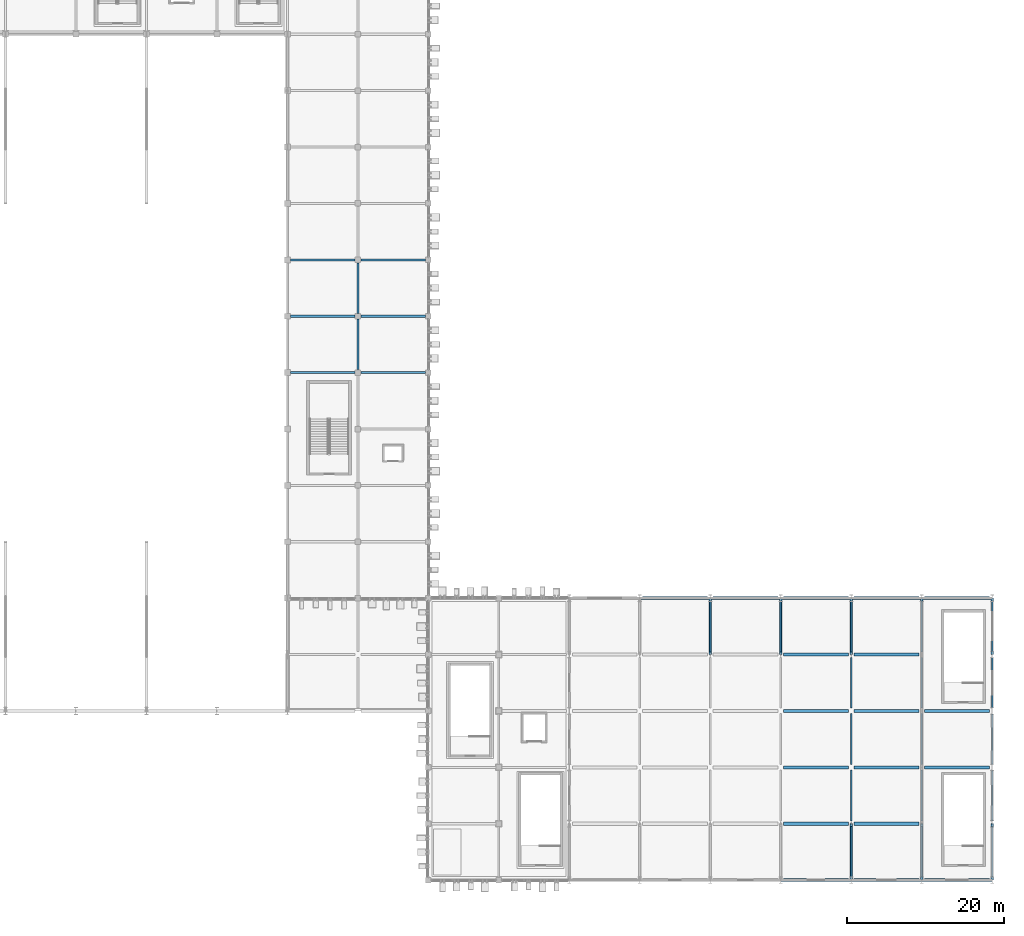
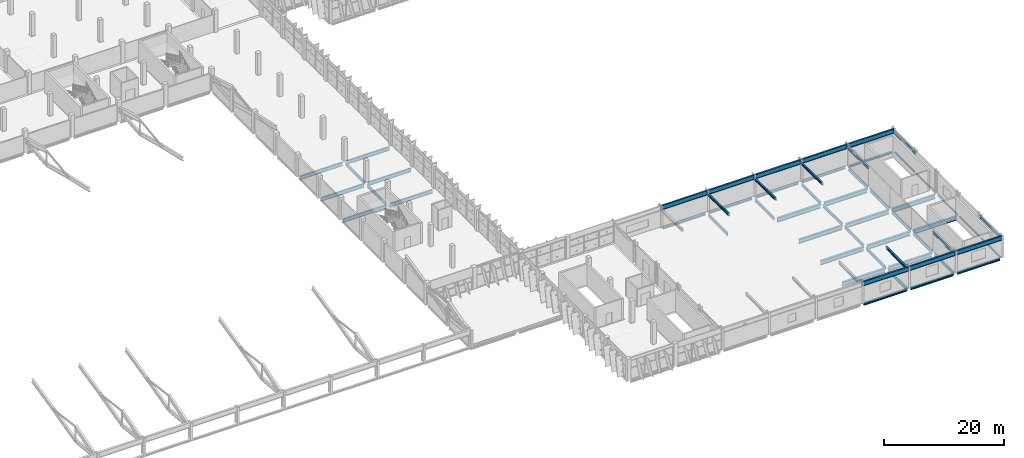
# One storey, part 51 of 151: 51 beams, 8 members.
"""IFC4 building model written with IfcOpenShell, lengths in metres."""

from ifc_helpers import new_model, si_unit, direction, frame, origin, origin_2d, place, context, subcontext, project, spatial, hollow_rectangle, i_section, extrude, material, material_profile, profile_set, type_object, element, save


model = new_model("IFC4")

# Units and contexts
model_context = context("Model", 3, precision=1e-05, world=origin(), true_north=direction((0.0, 1.0)))
body_context = subcontext(model_context, "Body", "Model", "MODEL_VIEW")
ifc_project = project(units=[si_unit("LENGTHUNIT", "METRE"), si_unit("AREAUNIT", "SQUARE_METRE"), si_unit("VOLUMEUNIT", "CUBIC_METRE"), si_unit("PLANEANGLEUNIT", "RADIAN"), si_unit("MASSUNIT", "GRAM", prefix="KILO")], contexts=[model_context])

# Site, building, storey
site_placement = place(None, origin())
site = spatial("IfcSite", under=ifc_project, at=site_placement, CompositionType="ELEMENT")
building_placement = place(site_placement, origin())
building = spatial("IfcBuilding", under=site, at=building_placement, Name="Celestram Park Convention Centre", CompositionType="ELEMENT")
storey_placement = place(building_placement, frame((0.0, 0.0, 10.800048828125)))
storey = spatial("IfcBuildingStorey", under=building, at=storey_placement, Name="L02", CompositionType="ELEMENT", Elevation=10.800048828125)

# Beams
ifc_material_1 = material(Name="Steel ASTM A992 Grade 50", Category="steel")
ifc_material_profile_1 = material_profile(ifc_material_1, i_section(OverallWidth=0.22900390625, OverallDepth=0.612060546875, WebThickness=0.011962890625, FlangeThickness=0.01953125, at=origin_2d()), Name="W24X84")
ifc_profile_set_1 = profile_set([ifc_material_profile_1], Name="Steel ASTM A992 Grade 50")
beam_type_1 = type_object("IfcBeamType", Name="STR-BM-W24X84", PredefinedType="BEAM", material=ifc_profile_set_1)
for number, where, z_axis, x_axis, name in (
    (1, (135.0, 65.173095703125, -0.5859375), (0.0, 1.0, 0.0), (-1.0, 0.0, 0.0), "Primary Y-girder BG-L02-0207"),
    (2, (135.0, 72.373046875, -0.5859375), (0.0, 1.0, 0.0), (-1.0, 0.0, 0.0), "Primary Y-girder BG-L02-0209"),
):
    element("IfcBeam", number, at=place(storey_placement, frame(where, z_axis=z_axis, x_axis=x_axis)), inside=storey, type_object=beam_type_1, Name=name, PredefinedType="BEAM", context=body_context, shape_type="SweptSolid", body=[
        extrude(i_section(OverallWidth=0.22900390625, OverallDepth=0.612060546875, WebThickness=0.011962890625, FlangeThickness=0.01953125, at=origin_2d()), origin(), (0.0, 0.0, 1.0), 6.453857421875),
    ])
for number, where, z_axis, x_axis, name in (
    (3, (180.0, 29.14794921875, -0.5859375), (0.0, 1.0, 0.0), (-1.0, 0.0, 0.0), "Primary Y-girder BG-L02-0319"),
    (4, (189.0, 29.14794921875, -0.5859375), (0.0, 1.0, 0.0), (-1.0, 0.0, 0.0), "Primary Y-girder BG-L02-0332"),
    (5, (198.0, 0.373046875, -0.5859375), (0.0, 1.0, 0.0), (-1.0, 0.0, 0.0), "Primary Y-girder BG-L02-0337"),
):
    element("IfcBeam", number, at=place(storey_placement, frame(where, z_axis=z_axis, x_axis=x_axis)), inside=storey, type_object=beam_type_1, Name=name, PredefinedType="BEAM", context=body_context, shape_type="SweptSolid", body=[
        extrude(i_section(OverallWidth=0.22900390625, OverallDepth=0.612060546875, WebThickness=0.011962890625, FlangeThickness=0.01953125, at=origin_2d()), origin(), (0.0, 0.0, 1.0), 6.47900390625),
    ])
for number, where, z_axis, x_axis, name in (
    (6, (198.0, 7.548095703125, -0.5859375), (0.0, 1.0, 0.0), (-1.0, 0.0, 0.0), "Primary Y-girder BG-L02-0339"),
    (7, (198.0, 14.748046875, -0.5859375), (0.0, 1.0, 0.0), (-1.0, 0.0, 0.0), "Primary Y-girder BG-L02-0341"),
    (8, (198.0, 21.947998046875, -0.5859375), (0.0, 1.0, 0.0), (-1.0, 0.0, 0.0), "Primary Y-girder BG-L02-0343"),
):
    element("IfcBeam", number, at=place(storey_placement, frame(where, z_axis=z_axis, x_axis=x_axis)), inside=storey, type_object=beam_type_1, Name=name, PredefinedType="BEAM", context=body_context, shape_type="SweptSolid", body=[
        extrude(i_section(OverallWidth=0.22900390625, OverallDepth=0.612060546875, WebThickness=0.011962890625, FlangeThickness=0.01953125, at=origin_2d()), origin(), (0.0, 0.0, 1.0), 6.50390625),
    ])
for number, where, z_axis, x_axis, name in (
    (9, (198.0, 29.14794921875, -0.5859375), (0.0, 1.0, 0.0), (-1.0, 0.0, 0.0), "Primary Y-girder BG-L02-0345"),
    (10, (207.0, 0.373046875, -0.5859375), (0.0, 1.0, 0.0), (-1.0, 0.0, 0.0), "Primary Y-girder BG-L02-0350"),
):
    element("IfcBeam", number, at=place(storey_placement, frame(where, z_axis=z_axis, x_axis=x_axis)), inside=storey, type_object=beam_type_1, Name=name, PredefinedType="BEAM", context=body_context, shape_type="SweptSolid", body=[
        extrude(i_section(OverallWidth=0.22900390625, OverallDepth=0.612060546875, WebThickness=0.011962890625, FlangeThickness=0.01953125, at=origin_2d()), origin(), (0.0, 0.0, 1.0), 6.47900390625),
    ])
for number, where, z_axis, x_axis, name in (
    (11, (207.0, 7.548095703125, -0.5859375), (0.0, 1.0, 0.0), (-1.0, 0.0, 0.0), "Primary Y-girder BG-L02-0351"),
    (12, (207.0, 14.748046875, -0.5859375), (0.0, 1.0, 0.0), (-1.0, 0.0, 0.0), "Primary Y-girder BG-L02-0353"),
    (13, (207.0, 21.947998046875, -0.5859375), (0.0, 1.0, 0.0), (-1.0, 0.0, 0.0), "Primary Y-girder BG-L02-0355"),
):
    element("IfcBeam", number, at=place(storey_placement, frame(where, z_axis=z_axis, x_axis=x_axis)), inside=storey, type_object=beam_type_1, Name=name, PredefinedType="BEAM", context=body_context, shape_type="SweptSolid", body=[
        extrude(i_section(OverallWidth=0.22900390625, OverallDepth=0.612060546875, WebThickness=0.011962890625, FlangeThickness=0.01953125, at=origin_2d()), origin(), (0.0, 0.0, 1.0), 6.50390625),
    ])
beam_1_placement = place(storey_placement, frame((207.0, 29.14794921875, -0.5859375), z_axis=(0.0, 1.0, 0.0), x_axis=(-1.0, 0.0, 0.0)))
element("IfcBeam", 14, at=beam_1_placement, inside=storey, type_object=beam_type_1, Name="Primary Y-girder BG-L02-0356", PredefinedType="BEAM", context=body_context, shape_type="SweptSolid", body=[
    extrude(i_section(OverallWidth=0.22900390625, OverallDepth=0.612060546875, WebThickness=0.011962890625, FlangeThickness=0.01953125, at=origin_2d()), origin(), (0.0, 0.0, 1.0), 6.47900390625),
])
ifc_material_profile_2 = material_profile(ifc_material_1, i_section(OverallWidth=0.26708984375, OverallDepth=0.761962890625, WebThickness=0.014404296875, FlangeThickness=0.021484375, at=origin_2d()), Name="W30X116")
ifc_profile_set_2 = profile_set([ifc_material_profile_2], Name="Steel ASTM A992 Grade 50")
beam_type_2 = type_object("IfcBeamType", Name="STR-BM-W30X116", PredefinedType="BEAM", material=ifc_profile_set_2)
for number, where, z_axis, x_axis, name in (
    (15, (126.39794921875, 64.800048828125, -0.6611328125), (1.0, 0.0, 0.0), (0.0, 1.0, 0.0), "Primary X-girder BG-L02-0167"),
    (16, (126.39794921875, 72.0, -0.6611328125), (1.0, 0.0, 0.0), (0.0, 1.0, 0.0), "Primary X-girder BG-L02-0169"),
    (17, (126.39794921875, 79.199951171875, -0.6611328125), (1.0, 0.0, 0.0), (0.0, 1.0, 0.0), "Primary X-girder BG-L02-0171"),
):
    element("IfcBeam", number, at=place(storey_placement, frame(where, z_axis=z_axis, x_axis=x_axis)), inside=storey, type_object=beam_type_2, Name=name, PredefinedType="BEAM", context=body_context, shape_type="SweptSolid", body=[
        extrude(i_section(OverallWidth=0.26708984375, OverallDepth=0.761962890625, WebThickness=0.014404296875, FlangeThickness=0.021484375, at=origin_2d()), origin(), (0.0, 0.0, 1.0), 8.22900390625),
    ])
for number, where, z_axis, x_axis, name in (
    (18, (135.373046875, 64.800048828125, -0.6611328125), (1.0, 0.0, 0.0), (0.0, 1.0, 0.0), "Primary X-girder BG-L02-0206"),
    (19, (135.373046875, 72.0, -0.6611328125), (1.0, 0.0, 0.0), (0.0, 1.0, 0.0), "Primary X-girder BG-L02-0208"),
    (20, (135.373046875, 79.199951171875, -0.6611328125), (1.0, 0.0, 0.0), (0.0, 1.0, 0.0), "Primary X-girder BG-L02-0210"),
):
    element("IfcBeam", number, at=place(storey_placement, frame(where, z_axis=z_axis, x_axis=x_axis)), inside=storey, type_object=beam_type_2, Name=name, PredefinedType="BEAM", context=body_context, shape_type="SweptSolid", body=[
        extrude(i_section(OverallWidth=0.26708984375, OverallDepth=0.761962890625, WebThickness=0.014404296875, FlangeThickness=0.021484375, at=origin_2d()), origin(), (0.0, 0.0, 1.0), 8.25390625),
    ])
ifc_material_profile_3 = material_profile(ifc_material_1, i_section(OverallWidth=0.40087890625, OverallDepth=0.85595703125, WebThickness=0.018310546875, FlangeThickness=0.029296875, at=origin_2d()), Name="W33X201")
ifc_profile_set_3 = profile_set([ifc_material_profile_3], Name="Steel ASTM A992 Grade 50")
beam_type_3 = type_object("IfcBeamType", Name="STR-BM-W33X201", PredefinedType="BEAM", material=ifc_profile_set_3)
for number, where, z_axis, x_axis, name in (
    (21, (189.347900390625, 7.199951171875, -0.7080078125), (1.0, 0.0, 0.0), (0.0, 1.0, 0.0), "Primary X-girder BG-L02-0325"),
    (22, (189.347900390625, 14.39990234375, -0.7080078125), (1.0, 0.0, 0.0), (0.0, 1.0, 0.0), "Primary X-girder BG-L02-0327"),
    (23, (189.347900390625, 21.60009765625, -0.7080078125), (1.0, 0.0, 0.0), (0.0, 1.0, 0.0), "Primary X-girder BG-L02-0329"),
    (24, (189.347900390625, 28.800048828125, -0.7080078125), (1.0, 0.0, 0.0), (0.0, 1.0, 0.0), "Primary X-girder BG-L02-0331"),
    (25, (198.347900390625, 7.199951171875, -0.7080078125), (1.0, 0.0, 0.0), (0.0, 1.0, 0.0), "Primary X-girder BG-L02-0338"),
    (26, (198.347900390625, 14.39990234375, -0.7080078125), (1.0, 0.0, 0.0), (0.0, 1.0, 0.0), "Primary X-girder BG-L02-0340"),
    (27, (198.347900390625, 21.60009765625, -0.7080078125), (1.0, 0.0, 0.0), (0.0, 1.0, 0.0), "Primary X-girder BG-L02-0342"),
    (28, (198.347900390625, 28.800048828125, -0.7080078125), (1.0, 0.0, 0.0), (0.0, 1.0, 0.0), "Primary X-girder BG-L02-0344"),
):
    element("IfcBeam", number, at=place(storey_placement, frame(where, z_axis=z_axis, x_axis=x_axis)), inside=storey, type_object=beam_type_3, Name=name, PredefinedType="BEAM", context=body_context, shape_type="SweptSolid", body=[
        extrude(i_section(OverallWidth=0.40087890625, OverallDepth=0.85595703125, WebThickness=0.018310546875, FlangeThickness=0.029296875, at=origin_2d()), origin(), (0.0, 0.0, 1.0), 8.30419921875),
    ])
for number, where, z_axis, x_axis, name in (
    (29, (207.347900390625, 14.39990234375, -0.7080078125), (1.0, 0.0, 0.0), (0.0, 1.0, 0.0), "Primary X-girder BG-L02-0352"),
    (30, (207.347900390625, 21.60009765625, -0.7080078125), (1.0, 0.0, 0.0), (0.0, 1.0, 0.0), "Primary X-girder BG-L02-0354"),
):
    element("IfcBeam", number, at=place(storey_placement, frame(where, z_axis=z_axis, x_axis=x_axis)), inside=storey, type_object=beam_type_3, Name=name, PredefinedType="BEAM", context=body_context, shape_type="SweptSolid", body=[
        extrude(i_section(OverallWidth=0.40087890625, OverallDepth=0.85595703125, WebThickness=0.018310546875, FlangeThickness=0.029296875, at=origin_2d()), origin(), (0.0, 0.0, 1.0), 8.279052734375),
    ])
ifc_material_profile_4 = material_profile(ifc_material_1, i_section(OverallWidth=0.304931640625, OverallDepth=0.9140625, WebThickness=0.0166015625, FlangeThickness=0.02587890625, at=origin_2d()), Name="W36X160")
ifc_profile_set_4 = profile_set([ifc_material_profile_4], Name="Steel ASTM A992 Grade 50")
beam_type_4 = type_object("IfcBeamType", Name="STR-BM-W36X160", PredefinedType="BEAM", material=ifc_profile_set_4)
for number, where, z_axis, x_axis, name in (
    (31, (189.007080078125, 0.0, 3.79296875), (1.0, 0.0, 0.0), (0.0, 1.0, 0.0), "Ballroom eaves girder BG-L02-0407"),
    (32, (198.007080078125, 0.0, 3.79296875), (1.0, 0.0, 0.0), (0.0, 1.0, 0.0), "Ballroom eaves girder BG-L02-0408"),
    (33, (207.007080078125, 0.0, 3.79296875), (1.0, 0.0, 0.0), (0.0, 1.0, 0.0), "Ballroom eaves girder BG-L02-0409"),
    (34, (171.007080078125, 36.0, 3.79296875), (1.0, 0.0, 0.0), (0.0, 1.0, 0.0), "Ballroom eaves girder BG-L02-0411"),
    (35, (180.007080078125, 36.0, 3.79296875), (1.0, 0.0, 0.0), (0.0, 1.0, 0.0), "Ballroom eaves girder BG-L02-0412"),
    (36, (189.007080078125, 36.0, 3.79296875), (1.0, 0.0, 0.0), (0.0, 1.0, 0.0), "Ballroom eaves girder BG-L02-0413"),
    (37, (198.007080078125, 36.0, 3.79296875), (1.0, 0.0, 0.0), (0.0, 1.0, 0.0), "Ballroom eaves girder BG-L02-0414"),
    (38, (207.007080078125, 36.0, 3.79296875), (1.0, 0.0, 0.0), (0.0, 1.0, 0.0), "Ballroom eaves girder BG-L02-0415"),
):
    element("IfcBeam", number, at=place(storey_placement, frame(where, z_axis=z_axis, x_axis=x_axis)), inside=storey, type_object=beam_type_4, Name=name, PredefinedType="BEAM", context=body_context, shape_type="SweptSolid", body=[
        extrude(i_section(OverallWidth=0.304931640625, OverallDepth=0.9140625, WebThickness=0.0166015625, FlangeThickness=0.02587890625, at=origin_2d()), origin(), (0.0, 0.0, 1.0), 8.98583984375),
    ])

# Members
ifc_material_profile_5 = material_profile(ifc_material_1, i_section(OverallWidth=0.281982421875, OverallDepth=0.467041015625, WebThickness=0.01220703125, FlangeThickness=0.01953125, at=origin_2d()), Name="W18X86")
ifc_profile_set_5 = profile_set([ifc_material_profile_5], Name="Steel ASTM A992 Grade 50")
member_type = type_object("IfcMemberType", Name="STR-CHD-W18X86", PredefinedType="CHORD", material=ifc_profile_set_5)
for number, where, z_axis, x_axis, name in (
    (39, (180.0, 28.800048828125, 3.7080078125), (0.0, 0.999903373607, -0.013901203187), (-1.0, 0.0, 0.0), "V3 arch bottom chord"),
    (40, (189.0, 28.800048828125, 3.7080078125), (0.0, 0.999903373607, -0.013901203187), (-1.0, 0.0, 0.0), "V3 arch bottom chord"),
    (41, (198.0, 0.0, 3.60791015625), (0.0, 0.999903373607, 0.013901203187), (-1.0, 0.0, 0.0), "V3 arch bottom chord"),
    (42, (198.0, 28.800048828125, 3.7080078125), (0.0, 0.999903373607, -0.013901203187), (-1.0, 0.0, 0.0), "V3 arch bottom chord"),
    (43, (207.0, 0.0, 3.60791015625), (0.0, 0.999903373607, 0.013901203187), (-1.0, 0.0, 0.0), "V3 arch bottom chord"),
    (44, (207.0, 28.800048828125, 3.7080078125), (0.0, 0.999903373607, -0.013901203187), (-1.0, 0.0, 0.0), "V3 arch bottom chord"),
    (45, (216.0, 0.0, 3.60791015625), (0.0, 0.999903373607, 0.013901203187), (-1.0, 0.0, 0.0), "V3 arch bottom chord"),
    (46, (216.0, 28.800048828125, 3.7080078125), (0.0, 0.999903373607, -0.013901203187), (-1.0, 0.0, 0.0), "V3 arch bottom chord"),
):
    element("IfcMember", number, at=place(storey_placement, frame(where, z_axis=z_axis, x_axis=x_axis)), inside=storey, type_object=member_type, Name=name, PredefinedType="CHORD", context=body_context, shape_type="SweptSolid", body=[
        extrude(i_section(OverallWidth=0.281982421875, OverallDepth=0.467041015625, WebThickness=0.01220703125, FlangeThickness=0.01953125, at=origin_2d()), origin(), (0.0, 0.0, 1.0), 7.20068359375),
    ])

# Beams
ifc_material_2 = material(Name="Steel ASTM A500 Grade C", Category="steel")
ifc_material_profile_6 = material_profile(ifc_material_2, hollow_rectangle(XDim=0.199951171875, YDim=0.300048828125, WallThickness=0.011962890625, at=origin_2d()), Name="HSS300X200X12")
ifc_profile_set_6 = profile_set([ifc_material_profile_6], Name="Steel ASTM A500 Grade C")
beam_type_5 = type_object("IfcBeamType", Name="STR-SPN-HSS300X200", PredefinedType="SPANDREL", material=ifc_profile_set_6)
beam_2_placement = place(storey_placement, frame((216.0, 0.373046875, -0.429931640625), z_axis=(0.0, 1.0, 0.0), x_axis=(-1.0, 0.0, 0.0)))
element("IfcBeam", 47, at=beam_2_placement, inside=storey, type_object=beam_type_5, Name="Primary Y-girder BG-L02-0360", PredefinedType="SPANDREL", context=body_context, shape_type="SweptSolid", body=[
    extrude(hollow_rectangle(XDim=0.199951171875, YDim=0.300048828125, WallThickness=0.011962890625, at=origin_2d()), origin(), (0.0, 0.0, 1.0), 6.453857421875),
])
for number, where, z_axis, x_axis, name in (
    (48, (216.0, 7.572998046875, -0.429931640625), (0.0, 1.0, 0.0), (-1.0, 0.0, 0.0), "Primary Y-girder BG-L02-0361"),
    (49, (216.0, 14.77294921875, -0.429931640625), (0.0, 1.0, 0.0), (-1.0, 0.0, 0.0), "Primary Y-girder BG-L02-0362"),
    (50, (216.0, 21.972900390625, -0.429931640625), (0.0, 1.0, 0.0), (-1.0, 0.0, 0.0), "Primary Y-girder BG-L02-0363"),
):
    element("IfcBeam", number, at=place(storey_placement, frame(where, z_axis=z_axis, x_axis=x_axis)), inside=storey, type_object=beam_type_5, Name=name, PredefinedType="SPANDREL", context=body_context, shape_type="SweptSolid", body=[
        extrude(hollow_rectangle(XDim=0.199951171875, YDim=0.300048828125, WallThickness=0.011962890625, at=origin_2d()), origin(), (0.0, 0.0, 1.0), 6.4541015625),
    ])
beam_3_placement = place(storey_placement, frame((216.0, 29.173095703125, -0.429931640625), z_axis=(0.0, 1.0, 0.0), x_axis=(-1.0, 0.0, 0.0)))
element("IfcBeam", 51, at=beam_3_placement, inside=storey, type_object=beam_type_5, Name="Primary Y-girder BG-L02-0364", PredefinedType="SPANDREL", context=body_context, shape_type="SweptSolid", body=[
    extrude(hollow_rectangle(XDim=0.199951171875, YDim=0.300048828125, WallThickness=0.011962890625, at=origin_2d()), origin(), (0.0, 0.0, 1.0), 6.453857421875),
])
ifc_material_profile_7 = material_profile(ifc_material_1, i_section(OverallWidth=0.367919921875, OverallDepth=0.35595703125, WebThickness=0.01123046875, FlangeThickness=0.01806640625, at=origin_2d()), Name="W14X90")
ifc_profile_set_7 = profile_set([ifc_material_profile_7], Name="Steel ASTM A992 Grade 50")
beam_type_6 = type_object("IfcBeamType", Name="STR-SPN-W14X90", PredefinedType="SPANDREL", material=ifc_profile_set_7)
for number, where, z_axis, x_axis, name in (
    (52, (171.373046875, 36.0, -0.4580078125), (1.0, 0.0, 0.0), (0.0, 1.0, 0.0), "Primary X-girder BG-L02-0307"),
    (53, (180.373046875, 36.0, -0.4580078125), (1.0, 0.0, 0.0), (0.0, 1.0, 0.0), "Primary X-girder BG-L02-0320"),
    (54, (189.373046875, 0.0, -0.4580078125), (1.0, 0.0, 0.0), (0.0, 1.0, 0.0), "Primary X-girder BG-L02-0323"),
    (55, (189.373046875, 36.0, -0.4580078125), (1.0, 0.0, 0.0), (0.0, 1.0, 0.0), "Primary X-girder BG-L02-0333"),
    (56, (198.373046875, 0.0, -0.4580078125), (1.0, 0.0, 0.0), (0.0, 1.0, 0.0), "Primary X-girder BG-L02-0336"),
    (57, (198.373046875, 36.0, -0.4580078125), (1.0, 0.0, 0.0), (0.0, 1.0, 0.0), "Primary X-girder BG-L02-0346"),
    (58, (207.373046875, 0.0, -0.4580078125), (1.0, 0.0, 0.0), (0.0, 1.0, 0.0), "Primary X-girder BG-L02-0349"),
    (59, (207.373046875, 36.0, -0.4580078125), (1.0, 0.0, 0.0), (0.0, 1.0, 0.0), "Primary X-girder BG-L02-0357"),
):
    element("IfcBeam", number, at=place(storey_placement, frame(where, z_axis=z_axis, x_axis=x_axis)), inside=storey, type_object=beam_type_6, Name=name, PredefinedType="SPANDREL", context=body_context, shape_type="SweptSolid", body=[
        extrude(i_section(OverallWidth=0.367919921875, OverallDepth=0.35595703125, WebThickness=0.01123046875, FlangeThickness=0.01806640625, at=origin_2d()), origin(), (0.0, 0.0, 1.0), 8.25390625),
    ])

save(model, "model.ifc")
